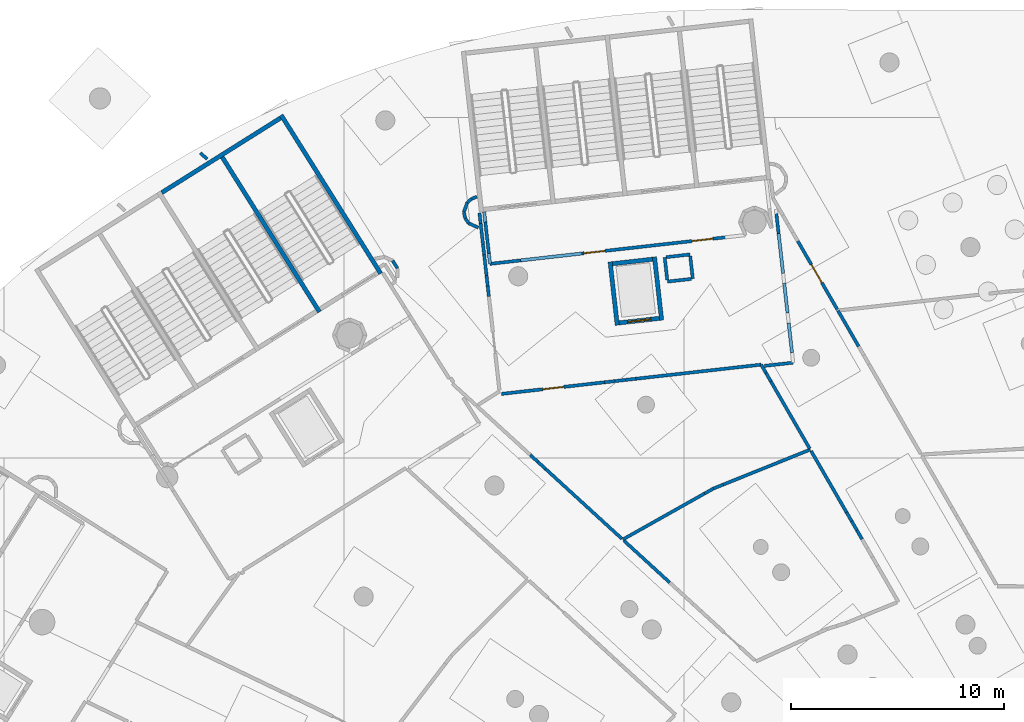
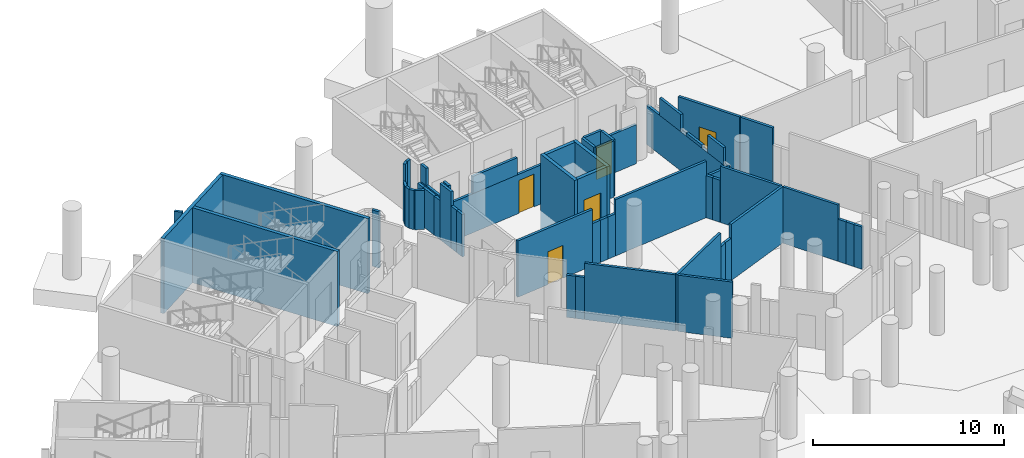
# One storey, part 77 of 142: 57 walls, 5 doors, 5 openings.
"""IFC4 building model written with IfcOpenShell, lengths in metres."""

from ifc_helpers import new_model, si_unit, direction, frame, frame_2d, origin, place, context, subcontext, project, spatial, rectangle, extrude, material, layer, layer_set, type_object, element, fill, save


model = new_model("IFC4")

# Units and contexts
model_context = context("Model", 3, precision=1e-05, world=origin(), true_north=direction((0.0, 1.0)))
body_context = subcontext(model_context, "Body", "Model", "MODEL_VIEW")
ifc_project = project(units=[si_unit("LENGTHUNIT", "METRE"), si_unit("AREAUNIT", "SQUARE_METRE"), si_unit("VOLUMEUNIT", "CUBIC_METRE"), si_unit("PLANEANGLEUNIT", "RADIAN"), si_unit("MASSUNIT", "GRAM", prefix="KILO")], contexts=[model_context])

# Site, building, storey
site_placement = place(None, origin())
site = spatial("IfcSite", under=ifc_project, at=site_placement, CompositionType="ELEMENT")
building_placement = place(site_placement, origin())
building = spatial("IfcBuilding", under=site, at=building_placement, Name="Meseta Stadium", CompositionType="ELEMENT")
storey_placement = place(building_placement, frame((0.0, 0.0, -4.0)))
storey = spatial("IfcBuildingStorey", under=building, at=storey_placement, Name="B1", CompositionType="ELEMENT", Elevation=-4.0)

# Walls
ifc_material_1 = material(Name="Concrete C40/50", Category="concrete")
ifc_layer_1 = layer(ifc_material_1, 0.199951171875)
ifc_layer_set_1 = layer_set([ifc_layer_1], Name="Core divider wall 200")
wall_type_1 = type_object("IfcWallType", Name="Core divider wall 200", PredefinedType="SHEAR", material=ifc_layer_set_1)
wall_1_placement = place(storey_placement, frame((-69.8291015625, 94.314453125, -1.199951171875), z_axis=(0.0, 0.0, 1.0), x_axis=(0.532032334759, -0.846724036963, 0.0)))
element("IfcWall", 1, at=wall_1_placement, inside=storey, type_object=wall_type_1, Name="Core 13 B1 stair A divider wall", PredefinedType="SHEAR", context=body_context, shape_type="SweptSolid", body=[
    extrude(rectangle(XDim=8.800048828125, YDim=0.199951171875, at=frame_2d((4.39990234375, 0.0))), origin(), (0.0, 0.0, 1.0), 4.800048828125),
])
ifc_material_2 = material(Name="Concrete C40/50", Category="concrete")
ifc_layer_2 = layer(ifc_material_2, 0.199951171875)
ifc_layer_set_2 = layer_set([ifc_layer_2], Name="Core shaft wall 200")
wall_type_2 = type_object("IfcWallType", Name="Core shaft wall 200", PredefinedType="SHEAR", material=ifc_layer_set_2)
for number, where, z_axis, x_axis, name in (
    (2, (-49.388671875, 89.45361328125, -1.199951171875), (0.0, 0.0, 1.0), (0.111976588553, -0.993710845073, 0.0), "Core 12 B1 lift shaft wall left"),
    (3, (-51.4755859375, 89.218505859375, -1.199951171875), (0.0, 0.0, 1.0), (0.111976588553, -0.993710845073, 0.0), "Core 12 B1 lift shaft wall right"),
):
    element("IfcWall", number, at=place(storey_placement, frame(where, z_axis=z_axis, x_axis=x_axis)), inside=storey, type_object=wall_type_2, Name=name, PredefinedType="SHEAR", context=body_context, shape_type="SweptSolid", body=[
        extrude(rectangle(XDim=3.0, YDim=0.199951171875, at=frame_2d((1.5, 0.0))), origin(), (0.0, 0.0, 1.0), 4.800048828125),
    ])
wall_2_placement = place(storey_placement, frame((-49.476806640625, 89.343017578125, -1.199951171875), z_axis=(0.0, 0.0, 1.0), x_axis=(-0.993718105662, -0.11191213732, 0.0)))
element("IfcWall", 4, at=wall_2_placement, inside=storey, type_object=wall_type_2, Name="Core 12 B1 lift shaft back wall", PredefinedType="SHEAR", context=body_context, shape_type="SweptSolid", body=[
    extrude(rectangle(XDim=1.900146484375, YDim=0.199951171875, at=frame_2d((0.9501953125, 0.0))), origin(), (0.0, 0.0, 1.0), 4.800048828125),
])

# Wall, opening, door
wall_3_placement = place(storey_placement, frame((-49.163330078125, 86.560791015625, -1.199951171875), z_axis=(0.0, 0.0, 1.0), x_axis=(-0.993703808847, -0.112039012324, 0.0)))
wall_3 = element("IfcWall", 5, at=wall_3_placement, inside=storey, type_object=wall_type_2, Name="Core 12 B1 lift shaft front wall", PredefinedType="SHEAR", context=body_context, shape_type="SweptSolid", body=[
    extrude(rectangle(XDim=1.900146484375, YDim=0.199951171875, at=frame_2d((0.9501953125, 0.0))), origin(), (0.0, 0.0, 1.0), 4.800048828125),
])
opening_1_placement = place(wall_3_placement, frame((0.39990234375, 0.0, 1.199951171875)))
opening_1 = element("IfcOpeningElement", 6, at=opening_1_placement, cuts=wall_3, Name="Opening LD63", PredefinedType="OPENING", context=body_context, shape_type="SweptSolid", body=[
    extrude(rectangle(XDim=1.10009765625, YDim=2.10009765625, at=frame_2d((0.550048828125, 1.050048828125))), frame((0.0, 0.10986328125, 0.0), z_axis=(0.0, -1.0, 0.0), x_axis=(1.0, 0.0, 0.0)), (0.0, 0.0, 1.0), 0.219970703125),
])
ifc_material_3 = material(Name="Steel", Category="steel")
door_type_1 = type_object("IfcDoorType", Name="Lift landing door 1100x2100", OperationType="SLIDING_TO_LEFT", PredefinedType="DOOR", material=ifc_material_3)
door_1_placement = place(opening_1_placement, origin())
door_1 = element("IfcDoor", 7, at=door_1_placement, inside=storey, type_object=door_type_1, Name="Lift landing door LD63", OperationType="SLIDING_TO_LEFT", OverallHeight=2.10009765625, OverallWidth=1.10009765625, PredefinedType="DOOR", context=body_context, shape_type="SweptSolid", body=[
    extrude(rectangle(XDim=1.10009765625, YDim=2.10009765625, at=frame_2d((0.550048828125, 1.050048828125))), frame((0.0, 0.02490234375, 0.0), z_axis=(0.0, -1.0, 0.0), x_axis=(1.0, 0.0, 0.0)), (0.0, 0.0, 1.0), 0.050048828125),
])
fill(opening_1, door_1)

# Walls
wall_4_placement = place(storey_placement, frame((-66.9501953125, 96.123291015625, -1.199951171875), z_axis=(0.0, 0.0, 1.0), x_axis=(0.532032334759, -0.846724036963, 0.0)))
element("IfcWall", 8, at=wall_4_placement, inside=storey, type_object=wall_type_2, Name="Core 13 B1 stair wall A-side", PredefinedType="SHEAR", context=body_context, shape_type="SweptSolid", body=[
    extrude(rectangle(XDim=8.800048828125, YDim=0.199951171875, at=frame_2d((4.39990234375, 0.0))), origin(), (0.0, 0.0, 1.0), 4.800048828125),
])
wall_5_placement = place(storey_placement, frame((-66.981689453125, 95.985595703125, -1.199951171875), z_axis=(0.0, 0.0, 1.0), x_axis=(-0.846719870989, -0.532038964807, 0.0)))
element("IfcWall", 9, at=wall_5_placement, inside=storey, type_object=wall_type_2, Name="Core 13 B1 stair A outer end wall", PredefinedType="SHEAR", context=body_context, shape_type="SweptSolid", body=[
    extrude(rectangle(XDim=6.60009765625, YDim=0.199951171875, at=frame_2d((3.300048828125, 0.0))), origin(), (0.0, 0.0, 1.0), 4.800048828125),
])
ifc_material_4 = material(Name="Masonry blockwork", Category="masonry")
ifc_layer_3 = layer(ifc_material_4, 0.14990234375)
ifc_layer_set_3 = layer_set([ifc_layer_3], Name="Partition 150")
wall_type_3 = type_object("IfcWallType", Name="Partition 150", PredefinedType="PARTITIONING", material=ifc_layer_set_3)
wall_6_placement = place(storey_placement, frame((-39.78564453125, 85.24560546875, 0.0), z_axis=(0.0, 0.0, 1.0), x_axis=(-0.500352922439, 0.865821548015, 0.0)))
element("IfcWall", 10, at=wall_6_placement, inside=storey, type_object=wall_type_3, Name="Partition B1 B1-cell10-2-0", PredefinedType="PARTITIONING", context=body_context, shape_type="SweptSolid", body=[
    extrude(rectangle(XDim=1.94384765625, YDim=0.14990234375, at=frame_2d((0.971923828125, 0.0))), origin(), (0.0, 0.0, 1.0), 3.60009765625),
])

# Wall, opening, door
wall_7_placement = place(storey_placement, frame((-40.783447265625, 86.9716796875, 0.0), z_axis=(0.0, 0.0, 1.0), x_axis=(-0.50040316576, 0.865792510765, 0.0)))
wall_7 = element("IfcWall", 11, at=wall_7_placement, inside=storey, type_object=wall_type_3, Name="Partition B1 B1-cell10-3-0", PredefinedType="PARTITIONING", context=body_context, shape_type="SweptSolid", body=[
    extrude(rectangle(XDim=3.72509765625, YDim=0.14990234375, at=frame_2d((1.862548828125, 0.0))), origin(), (0.0, 0.0, 1.0), 3.60009765625),
])
opening_2_placement = place(wall_7_placement, frame((1.449951171875, 0.0, 0.0)))
opening_2 = element("IfcOpeningElement", 12, at=opening_2_placement, cuts=wall_7, Name="Opening D463", PredefinedType="OPENING", context=body_context, shape_type="SweptSolid", body=[
    extrude(rectangle(XDim=1.0, YDim=2.10009765625, at=frame_2d((0.5, 1.050048828125))), frame((0.0, 0.0849609375, 0.0), z_axis=(0.0, -1.0, 0.0), x_axis=(1.0, 0.0, 0.0)), (0.0, 0.0, 1.0), 0.169921875),
])
ifc_material_5 = material(Name="Steel", Category="steel")
door_type_2 = type_object("IfcDoorType", Name="Fire door 1000x2100 EI2 60", OperationType="NOTDEFINED", PredefinedType="DOOR", material=ifc_material_5)
door_2_placement = place(opening_2_placement, origin())
door_2 = element("IfcDoor", 13, at=door_2_placement, inside=storey, type_object=door_type_2, Name="Door D463", OperationType="SINGLE_SWING_RIGHT", OverallHeight=2.10009765625, OverallWidth=1.0, PredefinedType="DOOR", context=body_context, shape_type="SweptSolid", body=[
    extrude(rectangle(XDim=1.0, YDim=2.10009765625, at=frame_2d((0.5, 1.050048828125))), frame((0.0, 0.02490234375, 0.0), z_axis=(0.0, -1.0, 0.0), x_axis=(1.0, 0.0, 0.0)), (0.0, 0.0, 1.0), 0.050048828125),
])
fill(opening_2, door_2)

# Walls
wall_8_placement = place(storey_placement, frame((-50.88330078125, 76.15673828125, 0.0), z_axis=(0.0, 0.0, 1.0), x_axis=(0.871726265014, 0.489993182487, 0.0)))
element("IfcWall", 14, at=wall_8_placement, inside=storey, type_object=wall_type_3, Name="Partition B1 B1-cell11-1-0", PredefinedType="PARTITIONING", context=body_context, shape_type="SweptSolid", body=[
    extrude(rectangle(XDim=4.4111328125, YDim=0.14990234375, at=frame_2d((2.20556640625, 0.0))), origin(), (0.0, 0.0, 1.0), 3.60009765625),
])
wall_9_placement = place(storey_placement, frame((-47.0380859375, 78.318115234375, 0.0), z_axis=(0.0, 0.0, 1.0), x_axis=(0.871868098828, 0.489740766371, 0.0)))
element("IfcWall", 15, at=wall_9_placement, inside=storey, type_object=wall_type_3, Name="Partition B1 B1-cell11-1-0", PredefinedType="PARTITIONING", context=body_context, shape_type="SweptSolid", body=[
    extrude(rectangle(XDim=0.489990234375, YDim=0.14990234375, at=frame_2d((0.2451171875, 0.0))), origin(), (0.0, 0.0, 1.0), 2.699951171875),
])
wall_10_placement = place(storey_placement, frame((-46.61083984375, 78.55810546875, 0.0), z_axis=(0.0, 0.0, 1.0), x_axis=(0.927719635042, 0.373277750151, 0.0)))
element("IfcWall", 16, at=wall_10_placement, inside=storey, type_object=wall_type_3, Name="Partition B1 B1-cell11-1-0", PredefinedType="PARTITIONING", context=body_context, shape_type="SweptSolid", body=[
    extrude(rectangle(XDim=0.490478515625, YDim=0.14990234375, at=frame_2d((0.2451171875, 0.0))), origin(), (0.0, 0.0, 1.0), 2.699951171875),
])
wall_11_placement = place(storey_placement, frame((-46.15576171875, 78.7412109375, 0.0), z_axis=(0.0, 0.0, 1.0), x_axis=(0.927823061979, 0.373020596832, 0.0)))
element("IfcWall", 17, at=wall_11_placement, inside=storey, type_object=wall_type_3, Name="Partition B1 B1-cell11-1-0", PredefinedType="PARTITIONING", context=body_context, shape_type="SweptSolid", body=[
    extrude(rectangle(XDim=4.41455078125, YDim=0.14990234375, at=frame_2d((2.207275390625, 0.0))), origin(), (0.0, 0.0, 1.0), 3.60009765625),
])
wall_12_placement = place(storey_placement, frame((-42.02197265625, 80.322509765625, 0.0), z_axis=(0.0, 0.0, 1.0), x_axis=(0.500458314394, -0.865760634098, 0.0)))
element("IfcWall", 18, at=wall_12_placement, inside=storey, type_object=wall_type_3, Name="Partition B1 B1-cell11-1-0", PredefinedType="PARTITIONING", context=body_context, shape_type="SweptSolid", body=[
    extrude(rectangle(XDim=3.330810546875, YDim=0.14990234375, at=frame_2d((1.66552734375, 0.0))), origin(), (0.0, 0.0, 1.0), 3.60009765625),
])
wall_13_placement = place(storey_placement, frame((-40.35498046875, 77.438720703125, 0.0), z_axis=(0.0, 0.0, 1.0), x_axis=(0.500185652474, -0.865918190743, 0.0)))
element("IfcWall", 19, at=wall_13_placement, inside=storey, type_object=wall_type_3, Name="Partition B1 B1-cell11-1-0", PredefinedType="PARTITIONING", context=body_context, shape_type="SweptSolid", body=[
    extrude(rectangle(XDim=0.486572265625, YDim=0.14990234375, at=frame_2d((0.2431640625, 0.0))), origin(), (0.0, 0.0, 1.0), 2.699951171875),
])
wall_14_placement = place(storey_placement, frame((-40.111572265625, 77.017333984375, 0.0), z_axis=(0.0, 0.0, 1.0), x_axis=(0.500403023357, -0.86579259307, 0.0)))
element("IfcWall", 20, at=wall_14_placement, inside=storey, type_object=wall_type_3, Name="Partition B1 B1-cell11-1-0", PredefinedType="PARTITIONING", context=body_context, shape_type="SweptSolid", body=[
    extrude(rectangle(XDim=0.486328125, YDim=0.14990234375, at=frame_2d((0.2431640625, 0.0))), origin(), (0.0, 0.0, 1.0), 2.699951171875),
])
wall_15_placement = place(storey_placement, frame((-39.8681640625, 76.59619140625, 0.0), z_axis=(0.0, 0.0, 1.0), x_axis=(0.500561685777, -0.865700871394, 0.0)))
element("IfcWall", 21, at=wall_15_placement, inside=storey, type_object=wall_type_3, Name="Partition B1 B1-cell11-1-0", PredefinedType="PARTITIONING", context=body_context, shape_type="SweptSolid", body=[
    extrude(rectangle(XDim=0.48681640625, YDim=0.14990234375, at=frame_2d((0.243408203125, 0.0))), origin(), (0.0, 0.0, 1.0), 2.699951171875),
])
wall_16_placement = place(storey_placement, frame((-48.67138671875, 74.1318359375, 0.0), z_axis=(0.0, 0.0, 1.0), x_axis=(-0.737605152987, 0.675232284689, 0.0)))
element("IfcWall", 22, at=wall_16_placement, inside=storey, type_object=wall_type_3, Name="Partition B1 B1-cell11-1-0", PredefinedType="PARTITIONING", context=body_context, shape_type="SweptSolid", body=[
    extrude(rectangle(XDim=2.919921875, YDim=0.14990234375, at=frame_2d((1.4599609375, 0.0))), origin(), (0.0, 0.0, 1.0), 3.60009765625),
])
wall_17_placement = place(storey_placement, frame((-50.920166015625, 76.1904296875, 0.0), z_axis=(0.0, 0.0, 1.0), x_axis=(-0.737613311295, 0.675223372671, 0.0)))
element("IfcWall", 23, at=wall_17_placement, inside=storey, type_object=wall_type_3, Name="Partition B1 B1-cell11-2-0", PredefinedType="PARTITIONING", context=body_context, shape_type="SweptSolid", body=[
    extrude(rectangle(XDim=4.875732421875, YDim=0.14990234375, at=frame_2d((2.43798828125, 0.0))), origin(), (0.0, 0.0, 1.0), 3.60009765625),
])
for number, where, z_axis, x_axis, name in (
    (24, (-54.5166015625, 79.482666015625, 0.0), (0.0, 0.0, 1.0), (-0.737465790757, 0.675384488616, 0.0), "Partition B1 B1-cell11-2-0"),
    (25, (-54.876220703125, 79.81201171875, 0.0), (0.0, 0.0, 1.0), (-0.737715187833, 0.675112065987, 0.0), "Partition B1 B1-cell11-2-0"),
):
    element("IfcWall", number, at=place(storey_placement, frame(where, z_axis=z_axis, x_axis=x_axis)), inside=storey, type_object=wall_type_3, Name=name, PredefinedType="PARTITIONING", context=body_context, shape_type="SweptSolid", body=[
        extrude(rectangle(XDim=0.487548828125, YDim=0.14990234375, at=frame_2d((0.24365234375, 0.0))), origin(), (0.0, 0.0, 1.0), 2.699951171875),
    ])

# Wall, opening, door
wall_18_placement = place(storey_placement, frame((-56.587158203125, 83.007080078125, 0.0), z_axis=(0.0, 0.0, 1.0), x_axis=(0.993710844617, 0.111976592605, 0.0)))
wall_18 = element("IfcWall", 26, at=wall_18_placement, inside=storey, type_object=wall_type_3, Name="Partition B1 B1-cell11-2-0", PredefinedType="PARTITIONING", context=body_context, shape_type="SweptSolid", body=[
    extrude(rectangle(XDim=4.873046875, YDim=0.14990234375, at=frame_2d((2.4365234375, 0.0))), origin(), (0.0, 0.0, 1.0), 3.60009765625),
])
opening_3_placement = place(wall_18_placement, frame((1.949951171875, 0.0, 0.0)))
opening_3 = element("IfcOpeningElement", 27, at=opening_3_placement, cuts=wall_18, Name="Opening D465", PredefinedType="OPENING", context=body_context, shape_type="SweptSolid", body=[
    extrude(rectangle(XDim=1.0, YDim=2.10009765625, at=frame_2d((0.5, 1.050048828125))), frame((0.0, 0.0849609375, 0.0), z_axis=(0.0, -1.0, 0.0), x_axis=(1.0, 0.0, 0.0)), (0.0, 0.0, 1.0), 0.169921875),
])
ifc_material_6 = material(Name="Steel", Category="steel")
door_type_3 = type_object("IfcDoorType", Name="Fire door 1000x2100 EI2 120", OperationType="NOTDEFINED", PredefinedType="DOOR", material=ifc_material_6)
door_3_placement = place(opening_3_placement, origin())
door_3 = element("IfcDoor", 28, at=door_3_placement, inside=storey, type_object=door_type_3, Name="Door D465", OperationType="SINGLE_SWING_RIGHT", OverallHeight=2.10009765625, OverallWidth=1.0, PredefinedType="DOOR", context=body_context, shape_type="SweptSolid", body=[
    extrude(rectangle(XDim=1.0, YDim=2.10009765625, at=frame_2d((0.5, 1.050048828125))), frame((0.0, 0.02490234375, 0.0), z_axis=(0.0, -1.0, 0.0), x_axis=(1.0, 0.0, 0.0)), (0.0, 0.0, 1.0), 0.050048828125),
])
fill(opening_3, door_3)

# Walls
for number, where, z_axis, x_axis, name in (
    (29, (-51.744873046875, 83.552734375, 0.0), (0.0, 0.0, 1.0), (0.993707998725, 0.112001844941, 0.0), "Partition B1 B1-cell11-2-0"),
    (30, (-51.253173828125, 83.608154296875, 0.0), (0.0, 0.0, 1.0), (0.993707998725, 0.112001844941, 0.0), "Partition B1 B1-cell11-2-0"),
    (31, (-50.761474609375, 83.66357421875, 0.0), (0.0, 0.0, 1.0), (0.993707998725, 0.112001844941, 0.0), "Partition B1 B1-cell11-2-0"),
):
    element("IfcWall", number, at=place(storey_placement, frame(where, z_axis=z_axis, x_axis=x_axis)), inside=storey, type_object=wall_type_3, Name=name, PredefinedType="PARTITIONING", context=body_context, shape_type="SweptSolid", body=[
        extrude(rectangle(XDim=0.494873046875, YDim=0.14990234375, at=frame_2d((0.24755859375, 0.0))), origin(), (0.0, 0.0, 1.0), 2.699951171875),
    ])
wall_19_placement = place(storey_placement, frame((-50.269775390625, 83.718994140625, 0.0), z_axis=(0.0, 0.0, 1.0), x_axis=(0.993712058641, 0.1119658185, 0.0)))
element("IfcWall", 32, at=wall_19_placement, inside=storey, type_object=wall_type_3, Name="Partition B1 B1-cell11-2-0", PredefinedType="PARTITIONING", context=body_context, shape_type="SweptSolid", body=[
    extrude(rectangle(XDim=5.9375, YDim=0.14990234375, at=frame_2d((2.96875, 0.0))), origin(), (0.0, 0.0, 1.0), 3.60009765625),
])
wall_20_placement = place(storey_placement, frame((-44.36962890625, 84.3837890625, 0.0), z_axis=(0.0, 0.0, 1.0), x_axis=(0.500509211412, -0.865731210765, 0.0)))
element("IfcWall", 33, at=wall_20_placement, inside=storey, type_object=wall_type_3, Name="Partition B1 B1-cell11-2-0", PredefinedType="PARTITIONING", context=body_context, shape_type="SweptSolid", body=[
    extrude(rectangle(XDim=0.45654296875, YDim=0.14990234375, at=frame_2d((0.228271484375, 0.0))), origin(), (0.0, 0.0, 1.0), 2.699951171875),
])
wall_21_placement = place(storey_placement, frame((-44.14111328125, 83.988525390625, 0.0), z_axis=(0.0, 0.0, 1.0), x_axis=(0.500741003624, -0.865597162247, 0.0)))
element("IfcWall", 34, at=wall_21_placement, inside=storey, type_object=wall_type_3, Name="Partition B1 B1-cell11-2-0", PredefinedType="PARTITIONING", context=body_context, shape_type="SweptSolid", body=[
    extrude(rectangle(XDim=0.456298828125, YDim=0.14990234375, at=frame_2d((0.22802734375, 0.0))), origin(), (0.0, 0.0, 1.0), 2.699951171875),
])
wall_22_placement = place(storey_placement, frame((-43.91259765625, 83.593505859375, 0.0), z_axis=(0.0, 0.0, 1.0), x_axis=(0.500416823079, -0.865784617084, 0.0)))
element("IfcWall", 35, at=wall_22_placement, inside=storey, type_object=wall_type_3, Name="Partition B1 B1-cell11-2-0", PredefinedType="PARTITIONING", context=body_context, shape_type="SweptSolid", body=[
    extrude(rectangle(XDim=3.65185546875, YDim=0.14990234375, at=frame_2d((1.825927734375, 0.0))), origin(), (0.0, 0.0, 1.0), 3.60009765625),
])
wall_23_placement = place(storey_placement, frame((-70.43310546875, 94.052978515625, 0.0), z_axis=(0.0, 0.0, 1.0), x_axis=(-0.737553445213, 0.675288764496, 0.0)))
element("IfcWall", 36, at=wall_23_placement, inside=storey, type_object=wall_type_3, Name="Partition B1 B1-cell11-3-0", PredefinedType="PARTITIONING", context=body_context, shape_type="SweptSolid", body=[
    extrude(rectangle(XDim=0.431396484375, YDim=0.14990234375, at=frame_2d((0.2158203125, 0.0))), origin(), (0.0, 0.0, 1.0), 3.60009765625),
])
wall_24_placement = place(storey_placement, frame((-57.621826171875, 91.52001953125, 0.0), z_axis=(0.0, 0.0, 1.0), x_axis=(0.112221929923, -0.993683168039, 0.0)))
element("IfcWall", 37, at=wall_24_placement, inside=storey, type_object=wall_type_3, Name="Partition B1 B1-cell11-3-0", PredefinedType="PARTITIONING", context=body_context, shape_type="SweptSolid", body=[
    extrude(rectangle(XDim=0.493896484375, YDim=0.14990234375, at=frame_2d((0.2470703125, 0.0))), origin(), (0.0, 0.0, 1.0), 2.5),
])
wall_25_placement = place(storey_placement, frame((-57.56640625, 91.029296875, 0.0), z_axis=(0.0, 0.0, 1.0), x_axis=(0.111733745595, -0.993738179852, 0.0)))
element("IfcWall", 38, at=wall_25_placement, inside=storey, type_object=wall_type_3, Name="Partition B1 B1-cell11-3-0", PredefinedType="PARTITIONING", context=body_context, shape_type="SweptSolid", body=[
    extrude(rectangle(XDim=0.987548828125, YDim=0.14990234375, at=frame_2d((0.49365234375, 0.0))), origin(), (0.0, 0.0, 1.0), 2.5),
])
wall_26_placement = place(storey_placement, frame((-57.4560546875, 90.0478515625, 0.0), z_axis=(0.0, 0.0, 1.0), x_axis=(0.112277085518, -0.993676937474, 0.0)))
element("IfcWall", 39, at=wall_26_placement, inside=storey, type_object=wall_type_3, Name="Partition B1 B1-cell11-3-0", PredefinedType="PARTITIONING", context=body_context, shape_type="SweptSolid", body=[
    extrude(rectangle(XDim=0.49365234375, YDim=0.14990234375, at=frame_2d((0.246826171875, 0.0))), origin(), (0.0, 0.0, 1.0), 2.5),
])
wall_27_placement = place(storey_placement, frame((-57.400634765625, 89.557373046875, 0.0), z_axis=(0.0, 0.0, 1.0), x_axis=(0.111977847894, -0.993710703163, 0.0)))
element("IfcWall", 40, at=wall_27_placement, inside=storey, type_object=wall_type_3, Name="Partition B1 B1-cell11-3-0", PredefinedType="PARTITIONING", context=body_context, shape_type="SweptSolid", body=[
    extrude(rectangle(XDim=0.987548828125, YDim=0.14990234375, at=frame_2d((0.49365234375, 0.0))), origin(), (0.0, 0.0, 1.0), 3.60009765625),
])
wall_28_placement = place(storey_placement, frame((-57.2900390625, 88.575927734375, 0.0), z_axis=(0.0, 0.0, 1.0), x_axis=(0.11178866734, -0.993732003034, 0.0)))
element("IfcWall", 41, at=wall_28_placement, inside=storey, type_object=wall_type_3, Name="Partition B1 B1-cell11-3-0", PredefinedType="PARTITIONING", context=body_context, shape_type="SweptSolid", body=[
    extrude(rectangle(XDim=0.49365234375, YDim=0.14990234375, at=frame_2d((0.246826171875, 0.0))), origin(), (0.0, 0.0, 1.0), 2.699951171875),
])
wall_29_placement = place(storey_placement, frame((-57.23486328125, 88.08544921875, 0.0), z_axis=(0.0, 0.0, 1.0), x_axis=(0.111733745595, -0.993738179852, 0.0)))
element("IfcWall", 42, at=wall_29_placement, inside=storey, type_object=wall_type_3, Name="Partition B1 B1-cell11-3-0", PredefinedType="PARTITIONING", context=body_context, shape_type="SweptSolid", body=[
    extrude(rectangle(XDim=0.493896484375, YDim=0.14990234375, at=frame_2d((0.2470703125, 0.0))), origin(), (0.0, 0.0, 1.0), 2.699951171875),
])
wall_30_placement = place(storey_placement, frame((-47.7158203125, 89.566650390625, 0.0), z_axis=(0.0, 0.0, 1.0), x_axis=(-0.993710504932, -0.11197960702, 0.0)))
element("IfcWall", 43, at=wall_30_placement, inside=storey, type_object=wall_type_3, Name="Pressurisation shaft wall B1 core 12", PredefinedType="PARTITIONING", context=body_context, shape_type="SweptSolid", body=[
    extrude(rectangle(XDim=1.125, YDim=0.14990234375, at=frame_2d((0.5625, 0.0))), origin(), (0.0, 0.0, 1.0), 3.60009765625),
])
wall_31_placement = place(storey_placement, frame((-48.908203125, 89.432373046875, 0.0), z_axis=(0.0, 0.0, 1.0), x_axis=(0.111951742856, -0.993713644503, 0.0)))
element("IfcWall", 44, at=wall_31_placement, inside=storey, type_object=wall_type_3, Name="Pressurisation shaft wall B1 core 12", PredefinedType="PARTITIONING", context=body_context, shape_type="SweptSolid", body=[
    extrude(rectangle(XDim=1.0751953125, YDim=0.14990234375, at=frame_2d((0.53759765625, 0.0))), origin(), (0.0, 0.0, 1.0), 3.60009765625),
])
wall_32_placement = place(storey_placement, frame((-48.779541015625, 88.28955078125, 0.0), z_axis=(0.0, 0.0, 1.0), x_axis=(0.993710504932, 0.11197960702, 0.0)))
element("IfcWall", 45, at=wall_32_placement, inside=storey, type_object=wall_type_3, Name="Pressurisation shaft wall B1 core 12", PredefinedType="PARTITIONING", context=body_context, shape_type="SweptSolid", body=[
    extrude(rectangle(XDim=1.125, YDim=0.14990234375, at=frame_2d((0.5625, 0.0))), origin(), (0.0, 0.0, 1.0), 3.60009765625),
])
wall_33_placement = place(storey_placement, frame((-47.587158203125, 88.423828125, 0.0), z_axis=(0.0, 0.0, 1.0), x_axis=(-0.111951742856, 0.993713644503, 0.0)))
element("IfcWall", 46, at=wall_33_placement, inside=storey, type_object=wall_type_3, Name="Pressurisation shaft wall B1 core 12", PredefinedType="PARTITIONING", context=body_context, shape_type="SweptSolid", body=[
    extrude(rectangle(XDim=1.0751953125, YDim=0.14990234375, at=frame_2d((0.53759765625, 0.0))), origin(), (0.0, 0.0, 1.0), 3.60009765625),
])
wall_34_placement = place(storey_placement, frame((-57.401611328125, 91.57470703125, 0.0), z_axis=(0.0, 0.0, 1.0), x_axis=(0.112018501257, -0.993706121233, 0.0)))
element("IfcWall", 47, at=wall_34_placement, inside=storey, type_object=wall_type_3, Name="Stair vestibule wall B1 core 12", PredefinedType="PARTITIONING", context=body_context, shape_type="SweptSolid", body=[
    extrude(rectangle(XDim=2.465087890625, YDim=0.14990234375, at=frame_2d((1.232421875, 0.0))), origin(), (0.0, 0.0, 1.0), 2.5),
])
wall_35_placement = place(storey_placement, frame((-57.401611328125, 91.57470703125, 2.5), z_axis=(0.0, 0.0, 1.0), x_axis=(0.111953754949, -0.993713417819, 0.0)))
element("IfcWall", 48, at=wall_35_placement, inside=storey, type_object=wall_type_3, Name="Stair vestibule wall B1 core 12", PredefinedType="PARTITIONING", context=body_context, shape_type="SweptSolid", body=[
    extrude(rectangle(XDim=0.492919921875, YDim=0.14990234375, at=frame_2d((0.24658203125, 0.0))), origin(), (0.0, 0.0, 1.0), 1.10009765625),
])
wall_36_placement = place(storey_placement, frame((-57.180908203125, 89.615234375, 2.5), z_axis=(0.0, 0.0, 1.0), x_axis=(0.112387558478, -0.993664448745, 0.0)))
element("IfcWall", 49, at=wall_36_placement, inside=storey, type_object=wall_type_3, Name="Stair vestibule wall B1 core 12", PredefinedType="PARTITIONING", context=body_context, shape_type="SweptSolid", body=[
    extrude(rectangle(XDim=0.4931640625, YDim=0.14990234375, at=frame_2d((0.24658203125, 0.0))), origin(), (0.0, 0.0, 1.0), 1.10009765625),
])

# Wall, openings, doors
wall_37_placement = place(storey_placement, frame((-57.12548828125, 89.125244140625, 0.0), z_axis=(0.0, 0.0, 1.0), x_axis=(0.993711991836, 0.111966411396, 0.0)))
wall_37 = element("IfcWall", 50, at=wall_37_placement, inside=storey, type_object=wall_type_3, Name="Stair vestibule wall B1 core 12", PredefinedType="PARTITIONING", context=body_context, shape_type="SweptSolid", body=[
    extrude(rectangle(XDim=12.097412109375, YDim=0.14990234375, at=frame_2d((6.048828125, 0.0))), origin(), (0.0, 0.0, 1.0), 2.5),
])
opening_4_placement = place(wall_37_placement, frame((9.550048828125, 0.0, 0.0)))
opening_4 = element("IfcOpeningElement", 51, at=opening_4_placement, cuts=wall_37, Name="Opening D725", PredefinedType="OPENING", context=body_context, shape_type="SweptSolid", body=[
    extrude(rectangle(XDim=1.0, YDim=2.10009765625, at=frame_2d((0.5, 1.050048828125))), frame((0.0, 0.0849609375, 0.0), z_axis=(0.0, -1.0, 0.0), x_axis=(1.0, 0.0, 0.0)), (0.0, 0.0, 1.0), 0.169921875),
])
opening_5_placement = place(wall_37_placement, frame((4.449951171875, 0.0, 0.0)))
opening_5 = element("IfcOpeningElement", 52, at=opening_5_placement, cuts=wall_37, Name="Opening D726", PredefinedType="OPENING", context=body_context, shape_type="SweptSolid", body=[
    extrude(rectangle(XDim=1.0, YDim=2.10009765625, at=frame_2d((0.5, 1.050048828125))), frame((0.0, 0.0849609375, 0.0), z_axis=(0.0, -1.0, 0.0), x_axis=(1.0, 0.0, 0.0)), (0.0, 0.0, 1.0), 0.169921875),
])
door_4_placement = place(opening_4_placement, origin())
door_4 = element("IfcDoor", 53, at=door_4_placement, inside=storey, type_object=door_type_2, Name="Stair vestibule door B1 core 12", OperationType="SINGLE_SWING_RIGHT", OverallHeight=2.10009765625, OverallWidth=1.0, PredefinedType="DOOR", context=body_context, shape_type="SweptSolid", body=[
    extrude(rectangle(XDim=1.0, YDim=2.10009765625, at=frame_2d((0.5, 1.050048828125))), frame((0.0, 0.02490234375, 0.0), z_axis=(0.0, -1.0, 0.0), x_axis=(1.0, 0.0, 0.0)), (0.0, 0.0, 1.0), 0.050048828125),
])
fill(opening_4, door_4)
door_5_placement = place(opening_5_placement, origin())
door_5 = element("IfcDoor", 54, at=door_5_placement, inside=storey, type_object=door_type_2, Name="Stair vestibule door B1 core 12", OperationType="SINGLE_SWING_LEFT", OverallHeight=2.10009765625, OverallWidth=1.0, PredefinedType="DOOR", context=body_context, shape_type="SweptSolid", body=[
    extrude(rectangle(XDim=1.0, YDim=2.10009765625, at=frame_2d((0.5, 1.050048828125))), frame((0.0, 0.02490234375, 0.0), z_axis=(0.0, -1.0, 0.0), x_axis=(1.0, 0.0, 0.0)), (0.0, 0.0, 1.0), 0.050048828125),
])
fill(opening_5, door_5)

# Walls
wall_38_placement = place(storey_placement, frame((-55.68310546875, 89.287841796875, 2.5), z_axis=(0.0, 0.0, 1.0), x_axis=(0.993717530127, 0.111917247639, 0.0)))
element("IfcWall", 55, at=wall_38_placement, inside=storey, type_object=wall_type_3, Name="Stair vestibule wall B1 core 12", PredefinedType="PARTITIONING", context=body_context, shape_type="SweptSolid", body=[
    extrude(rectangle(XDim=2.903564453125, YDim=0.14990234375, at=frame_2d((1.45166015625, 0.0))), origin(), (0.0, 0.0, 1.0), 1.10009765625),
])
wall_39_placement = place(storey_placement, frame((-57.736083984375, 92.281494140625, 0.0), z_axis=(0.0, 0.0, 1.0), x_axis=(-0.941549075512, -0.336875850133, 0.0)))
element("IfcWall", 56, at=wall_39_placement, inside=storey, type_object=wall_type_3, Name="Stair vestibule wall B1 core 12", PredefinedType="PARTITIONING", context=body_context, shape_type="SweptSolid", body=[
    extrude(rectangle(XDim=0.258056640625, YDim=0.14990234375, at=frame_2d((0.12890625, 0.0))), origin(), (0.0, 0.0, 1.0), 3.60009765625),
])
wall_40_placement = place(storey_placement, frame((-57.97900390625, 92.194580078125, 0.0), z_axis=(0.0, 0.0, 1.0), x_axis=(-0.763611518969, -0.64567596215, 0.0)))
element("IfcWall", 57, at=wall_40_placement, inside=storey, type_object=wall_type_3, Name="Stair vestibule wall B1 core 12", PredefinedType="PARTITIONING", context=body_context, shape_type="SweptSolid", body=[
    extrude(rectangle(XDim=0.287841796875, YDim=0.14990234375, at=frame_2d((0.14404296875, 0.0))), origin(), (0.0, 0.0, 1.0), 3.60009765625),
])
wall_41_placement = place(storey_placement, frame((-58.19873046875, 92.0087890625, 0.0), z_axis=(0.0, 0.0, 1.0), x_axis=(-0.323699669456, -0.946159882892, 0.0)))
element("IfcWall", 58, at=wall_41_placement, inside=storey, type_object=wall_type_3, Name="Stair vestibule wall B1 core 12", PredefinedType="PARTITIONING", context=body_context, shape_type="SweptSolid", body=[
    extrude(rectangle(XDim=0.479736328125, YDim=0.14990234375, at=frame_2d((0.23974609375, 0.0))), origin(), (0.0, 0.0, 1.0), 2.5),
])
wall_42_placement = place(storey_placement, frame((-58.35400390625, 91.554931640625, 0.0), z_axis=(0.0, 0.0, 1.0), x_axis=(0.209413753184, -0.977827121723, 0.0)))
element("IfcWall", 59, at=wall_42_placement, inside=storey, type_object=wall_type_3, Name="Stair vestibule wall B1 core 12", PredefinedType="PARTITIONING", context=body_context, shape_type="SweptSolid", body=[
    extrude(rectangle(XDim=0.2890625, YDim=0.14990234375, at=frame_2d((0.14453125, 0.0))), origin(), (0.0, 0.0, 1.0), 2.5),
])
wall_43_placement = place(storey_placement, frame((-58.29345703125, 91.272216796875, 0.0), z_axis=(0.0, 0.0, 1.0), x_axis=(0.566707762339, -0.823918874711, 0.0)))
element("IfcWall", 60, at=wall_43_placement, inside=storey, type_object=wall_type_3, Name="Stair vestibule wall B1 core 12", PredefinedType="PARTITIONING", context=body_context, shape_type="SweptSolid", body=[
    extrude(rectangle(XDim=0.28955078125, YDim=0.14990234375, at=frame_2d((0.144775390625, 0.0))), origin(), (0.0, 0.0, 1.0), 2.5),
])
wall_44_placement = place(storey_placement, frame((-58.12939453125, 91.03369140625, 0.0), z_axis=(0.0, 0.0, 1.0), x_axis=(0.910666917377, -0.413141338521, 0.0)))
element("IfcWall", 61, at=wall_44_placement, inside=storey, type_object=wall_type_3, Name="Stair vestibule wall B1 core 12", PredefinedType="PARTITIONING", context=body_context, shape_type="SweptSolid", body=[
    extrude(rectangle(XDim=0.50048828125, YDim=0.14990234375, at=frame_2d((0.250244140625, 0.0))), origin(), (0.0, 0.0, 1.0), 2.5),
])
wall_45_placement = place(storey_placement, frame((-44.213623046875, 84.325927734375, 0.0), z_axis=(0.0, 0.0, 1.0), x_axis=(0.993715812814, 0.11193249467, 0.0)))
element("IfcWall", 62, at=wall_45_placement, inside=storey, type_object=wall_type_3, Name="Stair vestibule wall B1 core 12", PredefinedType="PARTITIONING", context=body_context, shape_type="SweptSolid", body=[
    extrude(rectangle(XDim=1.356689453125, YDim=0.14990234375, at=frame_2d((0.67822265625, 0.0))), origin(), (0.0, 0.0, 1.0), 2.699951171875),
])
wall_46_placement = place(storey_placement, frame((-42.865478515625, 84.477783203125, 0.0), z_axis=(0.0, 0.0, 1.0), x_axis=(-0.111977823114, 0.993710705956, 0.0)))
element("IfcWall", 63, at=wall_46_placement, inside=storey, type_object=wall_type_3, Name="Stair vestibule wall B1 core 12", PredefinedType="PARTITIONING", context=body_context, shape_type="SweptSolid", body=[
    extrude(rectangle(XDim=7.26025390625, YDim=0.14990234375, at=frame_2d((3.630126953125, 0.0))), origin(), (0.0, 0.0, 1.0), 2.5),
])
wall_47_placement = place(storey_placement, frame((-42.918212890625, 84.94482421875, 2.5), z_axis=(0.0, 0.0, 1.0), x_axis=(-0.112027737715, 0.993705079982, 0.0)))
element("IfcWall", 64, at=wall_47_placement, inside=storey, type_object=wall_type_3, Name="Stair vestibule wall B1 core 12", PredefinedType="PARTITIONING", context=body_context, shape_type="SweptSolid", body=[
    extrude(rectangle(XDim=1.409912109375, YDim=0.14990234375, at=frame_2d((0.705078125, 0.0))), origin(), (0.0, 0.0, 1.0), 1.10009765625),
])
wall_48_placement = place(storey_placement, frame((-43.128662109375, 86.81298828125, 2.5), z_axis=(0.0, 0.0, 1.0), x_axis=(-0.112027737715, 0.993705079982, 0.0)))
element("IfcWall", 65, at=wall_48_placement, inside=storey, type_object=wall_type_3, Name="Stair vestibule wall B1 core 12", PredefinedType="PARTITIONING", context=body_context, shape_type="SweptSolid", body=[
    extrude(rectangle(XDim=1.409912109375, YDim=0.14990234375, at=frame_2d((0.705078125, 0.0))), origin(), (0.0, 0.0, 1.0), 0.199951171875),
])
wall_49_placement = place(storey_placement, frame((-43.339111328125, 88.68115234375, 2.5), z_axis=(0.0, 0.0, 1.0), x_axis=(-0.112070481518, 0.993700260226, 0.0)))
element("IfcWall", 66, at=wall_49_placement, inside=storey, type_object=wall_type_3, Name="Stair vestibule wall B1 core 12", PredefinedType="PARTITIONING", context=body_context, shape_type="SweptSolid", body=[
    extrude(rectangle(XDim=1.880126953125, YDim=0.14990234375, at=frame_2d((0.93994140625, 0.0))), origin(), (0.0, 0.0, 1.0), 1.10009765625),
])
wall_50_placement = place(storey_placement, frame((-61.481201171875, 88.91748046875, 0.0), z_axis=(0.0, 0.0, 1.0), x_axis=(-0.531970434514, 0.846762928336, 0.0)))
element("IfcWall", 67, at=wall_50_placement, inside=storey, type_object=wall_type_3, Name="Stair vestibule wall B1 core 13", PredefinedType="PARTITIONING", context=body_context, shape_type="SweptSolid", body=[
    extrude(rectangle(XDim=0.422607421875, YDim=0.14990234375, at=frame_2d((0.21142578125, 0.0))), origin(), (0.0, 0.0, 1.0), 3.60009765625),
])

save(model, "model.ifc")
